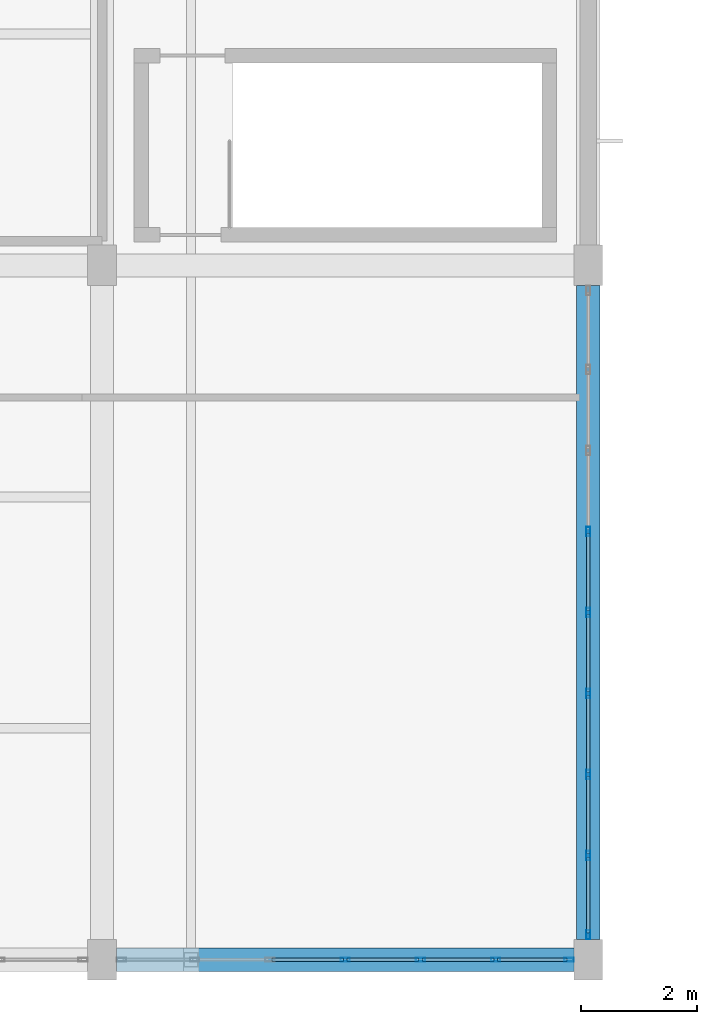
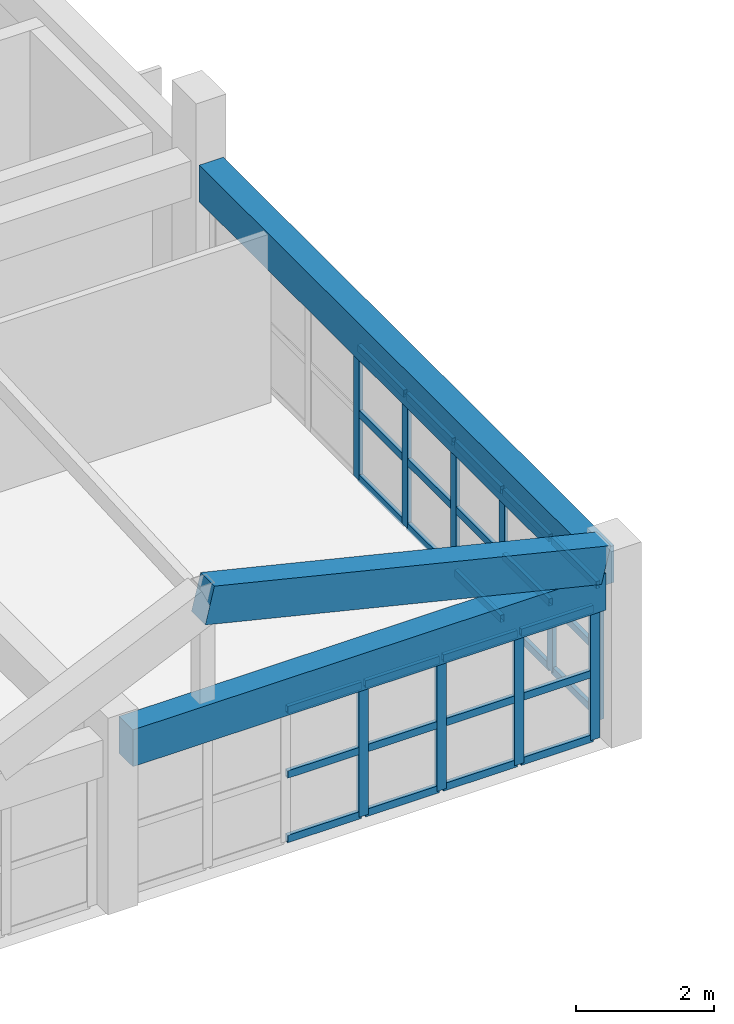
# One storey, part 28 of 127: 37 members, 3 beams, 2 elements without a shape of their own.
"""IFC4 building model written with IfcOpenShell, lengths in metres."""

from ifc_helpers import new_model, si_unit, direction, frame, origin, origin_2d, place, context, subcontext, project, spatial, rectangle, hollow_rectangle, extrude, material, material_profile, profile_set, type_object, element, aggregate, save


model = new_model("IFC4")

# Units and contexts
model_context = context("Model", 3, precision=1e-05, world=origin(), true_north=direction((0.0, 1.0)))
body_context = subcontext(model_context, "Body", "Model", "MODEL_VIEW")
ifc_project = project(units=[si_unit("LENGTHUNIT", "METRE"), si_unit("AREAUNIT", "SQUARE_METRE"), si_unit("VOLUMEUNIT", "CUBIC_METRE"), si_unit("PLANEANGLEUNIT", "RADIAN"), si_unit("MASSUNIT", "GRAM", prefix="KILO")], contexts=[model_context])

# Site, building, storey
site_placement = place(None, origin())
site = spatial("IfcSite", under=ifc_project, at=site_placement, CompositionType="ELEMENT")
building_placement = place(site_placement, origin())
building = spatial("IfcBuilding", under=site, at=building_placement, Name="Kestramere Prow Commons", CompositionType="ELEMENT")
storey_placement = place(building_placement, frame((0.0, 0.0, 8.39990234375)))
storey = spatial("IfcBuildingStorey", under=building, at=storey_placement, Name="L02", CompositionType="ELEMENT", Elevation=8.39990234375)

# Beams
ifc_material_1 = material(Name="Precast concrete C40/50", Category="concrete")
ifc_material_profile_1 = material_profile(ifc_material_1, rectangle(XDim=0.39990234375, YDim=0.64990234375, at=origin_2d()), Name="PC-BM 400x650")
ifc_profile_set_1 = profile_set([ifc_material_profile_1], Name="Precast concrete C40/50")
beam_type = type_object("IfcBeamType", Name="BM-MK-01 PC-BM 400x650 (EX)", PredefinedType="BEAM", material=ifc_profile_set_1)
beam_1_placement = place(storey_placement, frame((103.85009765625, 0.0, 2.675048828125), z_axis=(1.0, 0.0, 0.0), x_axis=(0.0, 1.0, 0.0)))
element("IfcBeam", 1, at=beam_1_placement, inside=storey, type_object=beam_type, Name="Market Spine L02 Beam X 1-6", PredefinedType="BEAM", context=body_context, shape_type="SweptSolid", body=[
    extrude(rectangle(XDim=0.39990234375, YDim=0.64990234375, at=origin_2d()), origin(), (0.0, 0.0, 1.0), 7.89990234375),
])
beam_2_placement = place(storey_placement, frame((112.0, 0.35009765625, 2.675048828125), z_axis=(0.0, 1.0, 0.0), x_axis=(-1.0, 0.0, 0.0)))
element("IfcBeam", 2, at=beam_2_placement, inside=storey, type_object=beam_type, Name="Market Spine L02 Beam Y 7-1", PredefinedType="BEAM", context=body_context, shape_type="SweptSolid", body=[
    extrude(rectangle(XDim=0.39990234375, YDim=0.64990234375, at=origin_2d()), origin(), (0.0, 0.0, 1.0), 11.2998046875),
])
beam_3_placement = place(storey_placement, frame((105.135986328125, 0.0, 4.7451171875), z_axis=(0.971961022414, 0.0, -0.235142022845), x_axis=(0.0, 1.0, 0.0)))
element("IfcBeam", 3, at=beam_3_placement, inside=storey, type_object=beam_type, Name="Market Folded Rafter 5R-0", PredefinedType="BEAM", context=body_context, shape_type="SweptSolid", body=[
    extrude(rectangle(XDim=0.39990234375, YDim=0.64990234375, at=origin_2d()), origin(), (0.0, 0.0, 1.0), 6.804931640625),
])

# Curtain wall, members
ifc_material_2 = material(Name="Anodised Aluminium and Low-E Glass", Category="aluminium")
curtain_wall_type_1 = type_object("IfcCurtainWallType", Name="CW-28 Glazed Curtain Wall 7800x2340", PredefinedType="USERDEFINED", material=ifc_material_2)
curtain_wall_1_placement = place(storey_placement, origin())
curtain_wall_1 = element("IfcCurtainWall", 4, at=curtain_wall_1_placement, inside=storey, type_object=curtain_wall_type_1, Name="Market L02 South Shopfront 6", ObjectType="GLAZED CURTAIN WALL", PredefinedType="USERDEFINED")
ifc_material_3 = material(Name="Anodised Aluminium 6063-T6", Category="aluminium")
ifc_material_profile_2 = material_profile(ifc_material_3, hollow_rectangle(XDim=0.06494140625, YDim=0.159912109375, WallThickness=0.00390625, at=origin_2d()), Name="ALU-MUL 65x160")
ifc_profile_set_2 = profile_set([ifc_material_profile_2], Name="Anodised Aluminium 6063-T6")
member_type_1 = type_object("IfcMemberType", Name="CW-MUL-65x160", PredefinedType="MULLION", material=ifc_profile_set_2)
member_1_placement = place(storey_placement, frame((111.66748046875, 0.0, 0.0), z_axis=(0.0, 0.0, 1.0), x_axis=(0.0, -1.0, 0.0)))
member_1 = element("IfcMember", 5, at=member_1_placement, type_object=member_type_1, Name="CW-28 mullion 1", PredefinedType="MULLION", context=body_context, shape_type="SweptSolid", body=[
    extrude(hollow_rectangle(XDim=0.06494140625, YDim=0.159912109375, WallThickness=0.00390625, at=origin_2d()), origin(), (0.0, 0.0, 1.0), 2.340087890625),
])
member_2_placement = place(storey_placement, frame((110.39990234375, 0.0, 0.0), z_axis=(0.0, 0.0, 1.0), x_axis=(0.0, -1.0, 0.0)))
member_2 = element("IfcMember", 6, at=member_2_placement, type_object=member_type_1, Name="CW-28 mullion 2", PredefinedType="MULLION", context=body_context, shape_type="SweptSolid", body=[
    extrude(hollow_rectangle(XDim=0.06494140625, YDim=0.159912109375, WallThickness=0.00390625, at=origin_2d()), origin(), (0.0, 0.0, 1.0), 2.340087890625),
])
member_3_placement = place(storey_placement, frame((109.10009765625, 0.0, 0.0), z_axis=(0.0, 0.0, 1.0), x_axis=(0.0, -1.0, 0.0)))
member_3 = element("IfcMember", 7, at=member_3_placement, type_object=member_type_1, Name="CW-28 mullion 3", PredefinedType="MULLION", context=body_context, shape_type="SweptSolid", body=[
    extrude(hollow_rectangle(XDim=0.06494140625, YDim=0.159912109375, WallThickness=0.00390625, at=origin_2d()), origin(), (0.0, 0.0, 1.0), 2.340087890625),
])
member_4_placement = place(storey_placement, frame((107.800048828125, 0.0, 0.0), z_axis=(0.0, 0.0, 1.0), x_axis=(0.0, -1.0, 0.0)))
member_4 = element("IfcMember", 8, at=member_4_placement, type_object=member_type_1, Name="CW-28 mullion 4", PredefinedType="MULLION", context=body_context, shape_type="SweptSolid", body=[
    extrude(hollow_rectangle(XDim=0.06494140625, YDim=0.159912109375, WallThickness=0.00390625, at=origin_2d()), origin(), (0.0, 0.0, 1.0), 2.340087890625),
])

curtain_wall_type_2 = type_object("IfcCurtainWallType", Name="CW-32 Glazed Curtain Wall 11200x2340", PredefinedType="USERDEFINED", material=ifc_material_2)
curtain_wall_2_placement = place(storey_placement, origin())
curtain_wall_2 = element("IfcCurtainWall", 9, at=curtain_wall_2_placement, inside=storey, type_object=curtain_wall_type_2, Name="Market L02 E Glazing", ObjectType="GLAZED CURTAIN WALL", PredefinedType="USERDEFINED")
member_5_placement = place(storey_placement, frame((112.0, 7.39990234375, 0.0), z_axis=(0.0, 0.0, 1.0), x_axis=(1.0, 0.0, 0.0)))
member_5 = element("IfcMember", 10, at=member_5_placement, type_object=member_type_1, Name="CW-32 mullion 4", PredefinedType="MULLION", context=body_context, shape_type="SweptSolid", body=[
    extrude(hollow_rectangle(XDim=0.06494140625, YDim=0.159912109375, WallThickness=0.00390625, at=origin_2d()), origin(), (0.0, 0.0, 1.0), 2.340087890625),
])
member_6_placement = place(storey_placement, frame((112.0, 6.0, 0.0), z_axis=(0.0, 0.0, 1.0), x_axis=(1.0, 0.0, 0.0)))
member_6 = element("IfcMember", 11, at=member_6_placement, type_object=member_type_1, Name="CW-32 mullion 5", PredefinedType="MULLION", context=body_context, shape_type="SweptSolid", body=[
    extrude(hollow_rectangle(XDim=0.06494140625, YDim=0.159912109375, WallThickness=0.00390625, at=origin_2d()), origin(), (0.0, 0.0, 1.0), 2.340087890625),
])
member_7_placement = place(storey_placement, frame((112.0, 4.60009765625, 0.0), z_axis=(0.0, 0.0, 1.0), x_axis=(1.0, 0.0, 0.0)))
member_7 = element("IfcMember", 12, at=member_7_placement, type_object=member_type_1, Name="CW-32 mullion 6", PredefinedType="MULLION", context=body_context, shape_type="SweptSolid", body=[
    extrude(hollow_rectangle(XDim=0.06494140625, YDim=0.159912109375, WallThickness=0.00390625, at=origin_2d()), origin(), (0.0, 0.0, 1.0), 2.340087890625),
])
member_8_placement = place(storey_placement, frame((112.0, 3.199951171875, 0.0), z_axis=(0.0, 0.0, 1.0), x_axis=(1.0, 0.0, 0.0)))
member_8 = element("IfcMember", 13, at=member_8_placement, type_object=member_type_1, Name="CW-32 mullion 7", PredefinedType="MULLION", context=body_context, shape_type="SweptSolid", body=[
    extrude(hollow_rectangle(XDim=0.06494140625, YDim=0.159912109375, WallThickness=0.00390625, at=origin_2d()), origin(), (0.0, 0.0, 1.0), 2.340087890625),
])
member_9_placement = place(storey_placement, frame((112.0, 1.800048828125, 0.0), z_axis=(0.0, 0.0, 1.0), x_axis=(1.0, 0.0, 0.0)))
member_9 = element("IfcMember", 14, at=member_9_placement, type_object=member_type_1, Name="CW-32 mullion 8", PredefinedType="MULLION", context=body_context, shape_type="SweptSolid", body=[
    extrude(hollow_rectangle(XDim=0.06494140625, YDim=0.159912109375, WallThickness=0.00390625, at=origin_2d()), origin(), (0.0, 0.0, 1.0), 2.340087890625),
])
member_10_placement = place(storey_placement, frame((112.0, 0.4326171875, 0.0), z_axis=(0.0, 0.0, 1.0), x_axis=(1.0, 0.0, 0.0)))
member_10 = element("IfcMember", 15, at=member_10_placement, type_object=member_type_1, Name="CW-32 mullion 9", PredefinedType="MULLION", context=body_context, shape_type="SweptSolid", body=[
    extrude(hollow_rectangle(XDim=0.06494140625, YDim=0.159912109375, WallThickness=0.00390625, at=origin_2d()), origin(), (0.0, 0.0, 1.0), 2.340087890625),
])

# Member
ifc_material_profile_3 = material_profile(ifc_material_3, hollow_rectangle(XDim=0.06494140625, YDim=0.1298828125, WallThickness=0.00390625, at=origin_2d()), Name="ALU-TRN 65x130")
ifc_profile_set_3 = profile_set([ifc_material_profile_3], Name="Anodised Aluminium 6063-T6")
member_type_2 = type_object("IfcMemberType", Name="CW-TRN-65x130", PredefinedType="USERDEFINED", material=ifc_profile_set_3)
member_11_placement = place(storey_placement, frame((111.635009765625, 0.0, 0.03271484375), z_axis=(-1.0, 0.0, 0.0), x_axis=(0.0, -1.0, 0.0)))
member_11 = element("IfcMember", 16, at=member_11_placement, type_object=member_type_2, Name="CW-28 transom 1.1", ObjectType="TRANSOM", PredefinedType="USERDEFINED", context=body_context, shape_type="SweptSolid", body=[
    extrude(hollow_rectangle(XDim=0.06494140625, YDim=0.1298828125, WallThickness=0.00390625, at=origin_2d()), origin(), (0.0, 0.0, 1.0), 1.202392578125),
])

member_12_placement = place(storey_placement, frame((111.635009765625, 0.0, 1.170166015625), z_axis=(-1.0, 0.0, 0.0), x_axis=(0.0, -1.0, 0.0)))
member_12 = element("IfcMember", 17, at=member_12_placement, type_object=member_type_2, Name="CW-28 transom 1.2", ObjectType="TRANSOM", PredefinedType="USERDEFINED", context=body_context, shape_type="SweptSolid", body=[
    extrude(hollow_rectangle(XDim=0.06494140625, YDim=0.1298828125, WallThickness=0.00390625, at=origin_2d()), origin(), (0.0, 0.0, 1.0), 1.202392578125),
])

member_13_placement = place(storey_placement, frame((111.635009765625, 0.0, 2.3076171875), z_axis=(-1.0, 0.0, 0.0), x_axis=(0.0, -1.0, 0.0)))
member_13 = element("IfcMember", 18, at=member_13_placement, type_object=member_type_2, Name="CW-28 transom 1.3", ObjectType="TRANSOM", PredefinedType="USERDEFINED", context=body_context, shape_type="SweptSolid", body=[
    extrude(hollow_rectangle(XDim=0.06494140625, YDim=0.1298828125, WallThickness=0.00390625, at=origin_2d()), origin(), (0.0, 0.0, 1.0), 1.202392578125),
])

member_14_placement = place(storey_placement, frame((110.367431640625, 0.0, 0.03271484375), z_axis=(-1.0, 0.0, 0.0), x_axis=(0.0, -1.0, 0.0)))
member_14 = element("IfcMember", 19, at=member_14_placement, type_object=member_type_2, Name="CW-28 transom 2.1", ObjectType="TRANSOM", PredefinedType="USERDEFINED", context=body_context, shape_type="SweptSolid", body=[
    extrude(hollow_rectangle(XDim=0.06494140625, YDim=0.1298828125, WallThickness=0.00390625, at=origin_2d()), origin(), (0.0, 0.0, 1.0), 1.23486328125),
])

member_15_placement = place(storey_placement, frame((110.367431640625, 0.0, 1.170166015625), z_axis=(-1.0, 0.0, 0.0), x_axis=(0.0, -1.0, 0.0)))
member_15 = element("IfcMember", 20, at=member_15_placement, type_object=member_type_2, Name="CW-28 transom 2.2", ObjectType="TRANSOM", PredefinedType="USERDEFINED", context=body_context, shape_type="SweptSolid", body=[
    extrude(hollow_rectangle(XDim=0.06494140625, YDim=0.1298828125, WallThickness=0.00390625, at=origin_2d()), origin(), (0.0, 0.0, 1.0), 1.23486328125),
])

member_16_placement = place(storey_placement, frame((110.367431640625, 0.0, 2.3076171875), z_axis=(-1.0, 0.0, 0.0), x_axis=(0.0, -1.0, 0.0)))
member_16 = element("IfcMember", 21, at=member_16_placement, type_object=member_type_2, Name="CW-28 transom 2.3", ObjectType="TRANSOM", PredefinedType="USERDEFINED", context=body_context, shape_type="SweptSolid", body=[
    extrude(hollow_rectangle(XDim=0.06494140625, YDim=0.1298828125, WallThickness=0.00390625, at=origin_2d()), origin(), (0.0, 0.0, 1.0), 1.23486328125),
])

member_17_placement = place(storey_placement, frame((109.0673828125, 0.0, 0.03271484375), z_axis=(-1.0, 0.0, 0.0), x_axis=(0.0, -1.0, 0.0)))
member_17 = element("IfcMember", 22, at=member_17_placement, type_object=member_type_2, Name="CW-28 transom 3.1", ObjectType="TRANSOM", PredefinedType="USERDEFINED", context=body_context, shape_type="SweptSolid", body=[
    extrude(hollow_rectangle(XDim=0.06494140625, YDim=0.1298828125, WallThickness=0.00390625, at=origin_2d()), origin(), (0.0, 0.0, 1.0), 1.23486328125),
])

member_18_placement = place(storey_placement, frame((109.0673828125, 0.0, 1.170166015625), z_axis=(-1.0, 0.0, 0.0), x_axis=(0.0, -1.0, 0.0)))
member_18 = element("IfcMember", 23, at=member_18_placement, type_object=member_type_2, Name="CW-28 transom 3.2", ObjectType="TRANSOM", PredefinedType="USERDEFINED", context=body_context, shape_type="SweptSolid", body=[
    extrude(hollow_rectangle(XDim=0.06494140625, YDim=0.1298828125, WallThickness=0.00390625, at=origin_2d()), origin(), (0.0, 0.0, 1.0), 1.23486328125),
])

member_19_placement = place(storey_placement, frame((109.0673828125, 0.0, 2.3076171875), z_axis=(-1.0, 0.0, 0.0), x_axis=(0.0, -1.0, 0.0)))
member_19 = element("IfcMember", 24, at=member_19_placement, type_object=member_type_2, Name="CW-28 transom 3.3", ObjectType="TRANSOM", PredefinedType="USERDEFINED", context=body_context, shape_type="SweptSolid", body=[
    extrude(hollow_rectangle(XDim=0.06494140625, YDim=0.1298828125, WallThickness=0.00390625, at=origin_2d()), origin(), (0.0, 0.0, 1.0), 1.23486328125),
])

member_20_placement = place(storey_placement, frame((107.767578125, 0.0, 0.03271484375), z_axis=(-1.0, 0.0, 0.0), x_axis=(0.0, -1.0, 0.0)))
member_20 = element("IfcMember", 25, at=member_20_placement, type_object=member_type_2, Name="CW-28 transom 4.1", ObjectType="TRANSOM", PredefinedType="USERDEFINED", context=body_context, shape_type="SweptSolid", body=[
    extrude(hollow_rectangle(XDim=0.06494140625, YDim=0.1298828125, WallThickness=0.00390625, at=origin_2d()), origin(), (0.0, 0.0, 1.0), 1.235107421875),
])

member_21_placement = place(storey_placement, frame((107.767578125, 0.0, 1.170166015625), z_axis=(-1.0, 0.0, 0.0), x_axis=(0.0, -1.0, 0.0)))
member_21 = element("IfcMember", 26, at=member_21_placement, type_object=member_type_2, Name="CW-28 transom 4.2", ObjectType="TRANSOM", PredefinedType="USERDEFINED", context=body_context, shape_type="SweptSolid", body=[
    extrude(hollow_rectangle(XDim=0.06494140625, YDim=0.1298828125, WallThickness=0.00390625, at=origin_2d()), origin(), (0.0, 0.0, 1.0), 1.235107421875),
])

member_22_placement = place(storey_placement, frame((107.767578125, 0.0, 2.3076171875), z_axis=(-1.0, 0.0, 0.0), x_axis=(0.0, -1.0, 0.0)))
member_22 = element("IfcMember", 27, at=member_22_placement, type_object=member_type_2, Name="CW-28 transom 4.3", ObjectType="TRANSOM", PredefinedType="USERDEFINED", context=body_context, shape_type="SweptSolid", body=[
    extrude(hollow_rectangle(XDim=0.06494140625, YDim=0.1298828125, WallThickness=0.00390625, at=origin_2d()), origin(), (0.0, 0.0, 1.0), 1.235107421875),
])

aggregate(curtain_wall_1, [member_1, member_2, member_3, member_4, member_11, member_12, member_13, member_14, member_15, member_16, member_17, member_18, member_19, member_20, member_21, member_22])

member_23_placement = place(storey_placement, frame((112.0, 7.367431640625, 0.03271484375), z_axis=(0.0, -1.0, 0.0), x_axis=(1.0, 0.0, 0.0)))
member_23 = element("IfcMember", 28, at=member_23_placement, type_object=member_type_2, Name="CW-32 transom 4.1", ObjectType="TRANSOM", PredefinedType="USERDEFINED", context=body_context, shape_type="SweptSolid", body=[
    extrude(hollow_rectangle(XDim=0.06494140625, YDim=0.1298828125, WallThickness=0.00390625, at=origin_2d()), origin(), (0.0, 0.0, 1.0), 1.3349609375),
])

member_24_placement = place(storey_placement, frame((112.0, 7.367431640625, 1.170166015625), z_axis=(0.0, -1.0, 0.0), x_axis=(1.0, 0.0, 0.0)))
member_24 = element("IfcMember", 29, at=member_24_placement, type_object=member_type_2, Name="CW-32 transom 4.2", ObjectType="TRANSOM", PredefinedType="USERDEFINED", context=body_context, shape_type="SweptSolid", body=[
    extrude(hollow_rectangle(XDim=0.06494140625, YDim=0.1298828125, WallThickness=0.00390625, at=origin_2d()), origin(), (0.0, 0.0, 1.0), 1.3349609375),
])

member_25_placement = place(storey_placement, frame((112.0, 7.367431640625, 2.3076171875), z_axis=(0.0, -1.0, 0.0), x_axis=(1.0, 0.0, 0.0)))
member_25 = element("IfcMember", 30, at=member_25_placement, type_object=member_type_2, Name="CW-32 transom 4.3", ObjectType="TRANSOM", PredefinedType="USERDEFINED", context=body_context, shape_type="SweptSolid", body=[
    extrude(hollow_rectangle(XDim=0.06494140625, YDim=0.1298828125, WallThickness=0.00390625, at=origin_2d()), origin(), (0.0, 0.0, 1.0), 1.3349609375),
])

member_26_placement = place(storey_placement, frame((112.0, 5.967529296875, 0.03271484375), z_axis=(0.0, -1.0, 0.0), x_axis=(1.0, 0.0, 0.0)))
member_26 = element("IfcMember", 31, at=member_26_placement, type_object=member_type_2, Name="CW-32 transom 5.1", ObjectType="TRANSOM", PredefinedType="USERDEFINED", context=body_context, shape_type="SweptSolid", body=[
    extrude(hollow_rectangle(XDim=0.06494140625, YDim=0.1298828125, WallThickness=0.00390625, at=origin_2d()), origin(), (0.0, 0.0, 1.0), 1.3349609375),
])

member_27_placement = place(storey_placement, frame((112.0, 5.967529296875, 1.170166015625), z_axis=(0.0, -1.0, 0.0), x_axis=(1.0, 0.0, 0.0)))
member_27 = element("IfcMember", 32, at=member_27_placement, type_object=member_type_2, Name="CW-32 transom 5.2", ObjectType="TRANSOM", PredefinedType="USERDEFINED", context=body_context, shape_type="SweptSolid", body=[
    extrude(hollow_rectangle(XDim=0.06494140625, YDim=0.1298828125, WallThickness=0.00390625, at=origin_2d()), origin(), (0.0, 0.0, 1.0), 1.3349609375),
])

member_28_placement = place(storey_placement, frame((112.0, 5.967529296875, 2.3076171875), z_axis=(0.0, -1.0, 0.0), x_axis=(1.0, 0.0, 0.0)))
member_28 = element("IfcMember", 33, at=member_28_placement, type_object=member_type_2, Name="CW-32 transom 5.3", ObjectType="TRANSOM", PredefinedType="USERDEFINED", context=body_context, shape_type="SweptSolid", body=[
    extrude(hollow_rectangle(XDim=0.06494140625, YDim=0.1298828125, WallThickness=0.00390625, at=origin_2d()), origin(), (0.0, 0.0, 1.0), 1.3349609375),
])

member_29_placement = place(storey_placement, frame((112.0, 4.5673828125, 0.03271484375), z_axis=(0.0, -1.0, 0.0), x_axis=(1.0, 0.0, 0.0)))
member_29 = element("IfcMember", 34, at=member_29_placement, type_object=member_type_2, Name="CW-32 transom 6.1", ObjectType="TRANSOM", PredefinedType="USERDEFINED", context=body_context, shape_type="SweptSolid", body=[
    extrude(hollow_rectangle(XDim=0.06494140625, YDim=0.1298828125, WallThickness=0.00390625, at=origin_2d()), origin(), (0.0, 0.0, 1.0), 1.3349609375),
])

member_30_placement = place(storey_placement, frame((112.0, 4.5673828125, 1.170166015625), z_axis=(0.0, -1.0, 0.0), x_axis=(1.0, 0.0, 0.0)))
member_30 = element("IfcMember", 35, at=member_30_placement, type_object=member_type_2, Name="CW-32 transom 6.2", ObjectType="TRANSOM", PredefinedType="USERDEFINED", context=body_context, shape_type="SweptSolid", body=[
    extrude(hollow_rectangle(XDim=0.06494140625, YDim=0.1298828125, WallThickness=0.00390625, at=origin_2d()), origin(), (0.0, 0.0, 1.0), 1.3349609375),
])

member_31_placement = place(storey_placement, frame((112.0, 4.5673828125, 2.3076171875), z_axis=(0.0, -1.0, 0.0), x_axis=(1.0, 0.0, 0.0)))
member_31 = element("IfcMember", 36, at=member_31_placement, type_object=member_type_2, Name="CW-32 transom 6.3", ObjectType="TRANSOM", PredefinedType="USERDEFINED", context=body_context, shape_type="SweptSolid", body=[
    extrude(hollow_rectangle(XDim=0.06494140625, YDim=0.1298828125, WallThickness=0.00390625, at=origin_2d()), origin(), (0.0, 0.0, 1.0), 1.3349609375),
])

member_32_placement = place(storey_placement, frame((112.0, 3.16748046875, 0.03271484375), z_axis=(0.0, -1.0, 0.0), x_axis=(1.0, 0.0, 0.0)))
member_32 = element("IfcMember", 37, at=member_32_placement, type_object=member_type_2, Name="CW-32 transom 7.1", ObjectType="TRANSOM", PredefinedType="USERDEFINED", context=body_context, shape_type="SweptSolid", body=[
    extrude(hollow_rectangle(XDim=0.06494140625, YDim=0.1298828125, WallThickness=0.00390625, at=origin_2d()), origin(), (0.0, 0.0, 1.0), 1.3349609375),
])

member_33_placement = place(storey_placement, frame((112.0, 3.16748046875, 1.170166015625), z_axis=(0.0, -1.0, 0.0), x_axis=(1.0, 0.0, 0.0)))
member_33 = element("IfcMember", 38, at=member_33_placement, type_object=member_type_2, Name="CW-32 transom 7.2", ObjectType="TRANSOM", PredefinedType="USERDEFINED", context=body_context, shape_type="SweptSolid", body=[
    extrude(hollow_rectangle(XDim=0.06494140625, YDim=0.1298828125, WallThickness=0.00390625, at=origin_2d()), origin(), (0.0, 0.0, 1.0), 1.3349609375),
])

member_34_placement = place(storey_placement, frame((112.0, 3.16748046875, 2.3076171875), z_axis=(0.0, -1.0, 0.0), x_axis=(1.0, 0.0, 0.0)))
member_34 = element("IfcMember", 39, at=member_34_placement, type_object=member_type_2, Name="CW-32 transom 7.3", ObjectType="TRANSOM", PredefinedType="USERDEFINED", context=body_context, shape_type="SweptSolid", body=[
    extrude(hollow_rectangle(XDim=0.06494140625, YDim=0.1298828125, WallThickness=0.00390625, at=origin_2d()), origin(), (0.0, 0.0, 1.0), 1.3349609375),
])

member_35_placement = place(storey_placement, frame((112.0, 1.767578125, 0.03271484375), z_axis=(0.0, -1.0, 0.0), x_axis=(1.0, 0.0, 0.0)))
member_35 = element("IfcMember", 40, at=member_35_placement, type_object=member_type_2, Name="CW-32 transom 8.1", ObjectType="TRANSOM", PredefinedType="USERDEFINED", context=body_context, shape_type="SweptSolid", body=[
    extrude(hollow_rectangle(XDim=0.06494140625, YDim=0.1298828125, WallThickness=0.00390625, at=origin_2d()), origin(), (0.0, 0.0, 1.0), 1.302490234375),
])

member_36_placement = place(storey_placement, frame((112.0, 1.767578125, 1.170166015625), z_axis=(0.0, -1.0, 0.0), x_axis=(1.0, 0.0, 0.0)))
member_36 = element("IfcMember", 41, at=member_36_placement, type_object=member_type_2, Name="CW-32 transom 8.2", ObjectType="TRANSOM", PredefinedType="USERDEFINED", context=body_context, shape_type="SweptSolid", body=[
    extrude(hollow_rectangle(XDim=0.06494140625, YDim=0.1298828125, WallThickness=0.00390625, at=origin_2d()), origin(), (0.0, 0.0, 1.0), 1.302490234375),
])

member_37_placement = place(storey_placement, frame((112.0, 1.767578125, 2.3076171875), z_axis=(0.0, -1.0, 0.0), x_axis=(1.0, 0.0, 0.0)))
member_37 = element("IfcMember", 42, at=member_37_placement, type_object=member_type_2, Name="CW-32 transom 8.3", ObjectType="TRANSOM", PredefinedType="USERDEFINED", context=body_context, shape_type="SweptSolid", body=[
    extrude(hollow_rectangle(XDim=0.06494140625, YDim=0.1298828125, WallThickness=0.00390625, at=origin_2d()), origin(), (0.0, 0.0, 1.0), 1.302490234375),
])

aggregate(curtain_wall_2, [member_5, member_6, member_7, member_8, member_9, member_10, member_23, member_24, member_25, member_26, member_27, member_28, member_29, member_30, member_31, member_32, member_33, member_34, member_35, member_36, member_37])

save(model, "model.ifc")
